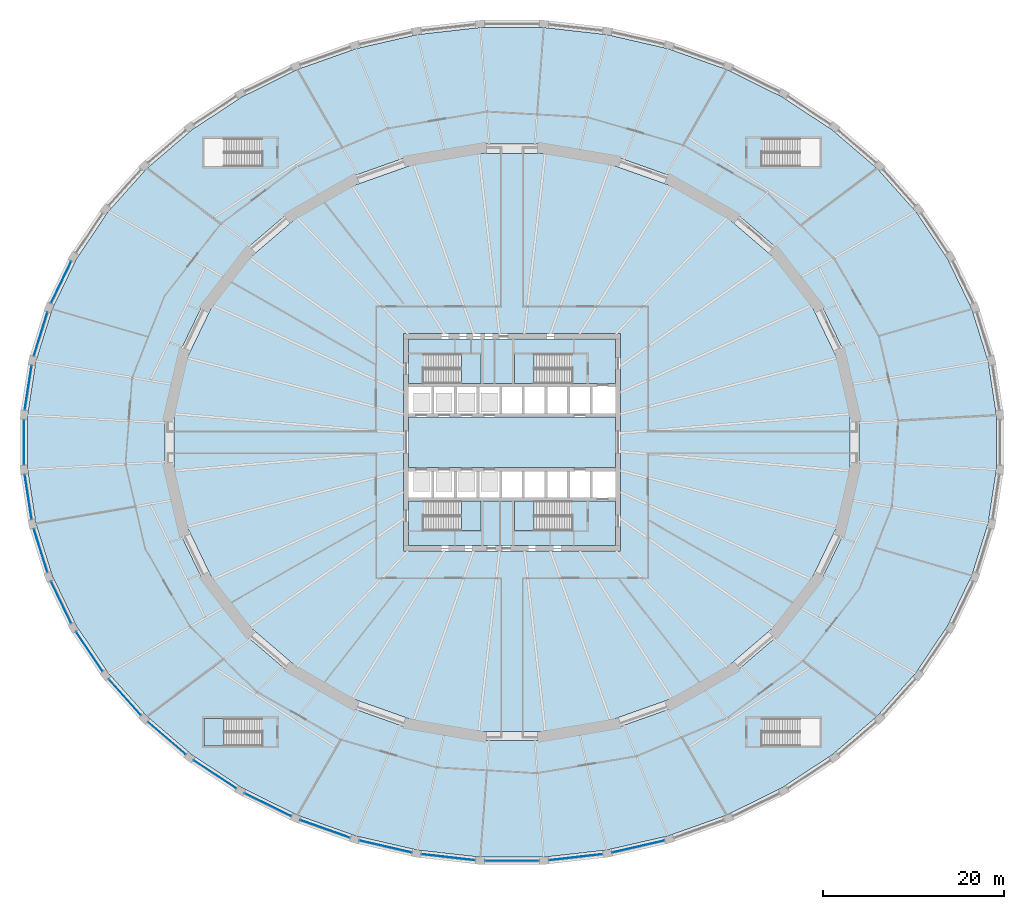
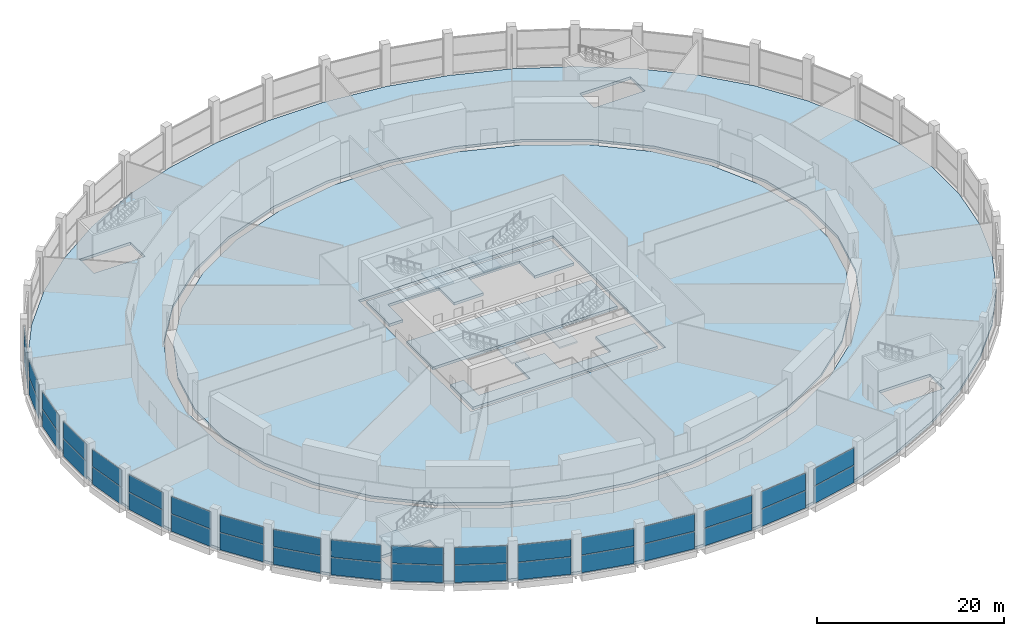
# One storey, part 18 of 29: 36 plates, 10 slabs, 23 elements without a shape of their own.
"""IFC4 building model written with IfcOpenShell, lengths in metres."""

from ifc_helpers import new_model, si_unit, direction, frame, origin, origin_2d, place, context, subcontext, project, spatial, polyline, rectangle, outline, extrude, material, layer, layer_set, type_object, element, aggregate, save


model = new_model("IFC4")

# Units and contexts
model_context = context("Model", 3, precision=1e-05, world=origin(), true_north=direction((0.0, 1.0)))
body_context = subcontext(model_context, "Body", "Model", "MODEL_VIEW")
ifc_project = project(units=[si_unit("LENGTHUNIT", "METRE"), si_unit("AREAUNIT", "SQUARE_METRE"), si_unit("VOLUMEUNIT", "CUBIC_METRE"), si_unit("PLANEANGLEUNIT", "RADIAN"), si_unit("MASSUNIT", "GRAM", prefix="KILO")], contexts=[model_context])

# Site, building, storey
site_placement = place(None, origin())
site = spatial("IfcSite", under=ifc_project, at=site_placement, CompositionType="ELEMENT")
building_placement = place(site_placement, origin())
building = spatial("IfcBuilding", under=site, at=building_placement, Name="Halqa Exchange Tower", CompositionType="ELEMENT")
storey_placement = place(building_placement, frame((0.0, 0.0, 7.0)))
storey = spatial("IfcBuildingStorey", under=building, at=storey_placement, Name="L01", CompositionType="ELEMENT", Elevation=7.0)

# Slabs
ifc_material_1 = material(Name="Concrete C60/75", Category="concrete")
ifc_layer_1 = layer(ifc_material_1, 0.35009765625)
ifc_layer_set_1 = layer_set([ifc_layer_1], Name="Concrete C60/75")
slab_type_1 = type_object("IfcSlabType", Name="Core floor slab 350", PredefinedType="FLOOR", material=ifc_layer_set_1)
slab_1_placement = place(storey_placement, frame((0.0, 0.0, -0.35009765625)))
element("IfcSlab", 1, at=slab_1_placement, inside=storey, type_object=slab_type_1, Name="Core floor slab", PredefinedType="FLOOR", context=body_context, shape_type="SweptSolid", body=[
    extrude(outline(polyline([(-11.39990234375, 2.800048828125), (11.39990234375, 2.800048828125), (11.39990234375, -2.800048828125), (-11.39990234375, -2.800048828125), (-11.39990234375, 2.800048828125)])), origin(), (0.0, 0.0, 1.0), 0.35009765625),
])
slab_2_placement = place(storey_placement, frame((0.0, 0.0, -0.35009765625)))
element("IfcSlab", 2, at=slab_2_placement, inside=storey, type_object=slab_type_1, Name="Core floor slab", PredefinedType="FLOOR", context=body_context, shape_type="SweptSolid", body=[
    extrude(outline(polyline([(-11.39990234375, 11.39990234375), (11.39990234375, 11.39990234375), (11.39990234375, 6.5), (6.550048828125, 6.5), (6.550048828125, 9.75), (0.25, 9.75), (0.25, 6.5), (-3.39990234375, 6.5), (-3.39990234375, 9.75), (-9.699951171875, 9.75), (-9.699951171875, 6.5), (-11.39990234375, 6.5), (-11.39990234375, 11.39990234375)])), origin(), (0.0, 0.0, 1.0), 0.35009765625),
])
slab_3_placement = place(storey_placement, frame((0.0, 0.0, -0.35009765625)))
element("IfcSlab", 3, at=slab_3_placement, inside=storey, type_object=slab_type_1, Name="Core floor slab", PredefinedType="FLOOR", context=body_context, shape_type="SweptSolid", body=[
    extrude(outline(polyline([(-9.699951171875, -9.75), (-3.39990234375, -9.75), (-3.39990234375, -6.5), (0.25, -6.5), (0.25, -9.75), (6.550048828125, -9.75), (6.550048828125, -6.5), (11.39990234375, -6.5), (11.39990234375, -11.39990234375), (-11.39990234375, -11.39990234375), (-11.39990234375, -6.5), (-9.699951171875, -6.5), (-9.699951171875, -9.75)])), origin(), (0.0, 0.0, 1.0), 0.35009765625),
])

# Curtain wall, plates
ifc_material_2 = material(Name="Anodised aluminium and clear glass", Category="aluminium")
curtain_wall_type = type_object("IfcCurtainWallType", Name="Exchange hall glazing", PredefinedType="NOTDEFINED", material=ifc_material_2)
curtain_wall_1_placement = place(storey_placement, origin())
curtain_wall_1 = element("IfcCurtainWall", 4, at=curtain_wall_1_placement, inside=storey, type_object=curtain_wall_type, Name="Exchange hall glazing run P21", PredefinedType="NOTDEFINED")
ifc_material_3 = material(Name="Clear glass", Category="glass")
ifc_layer_2 = layer(ifc_material_3, 0.035888671875)
ifc_layer_set_2 = layer_set([ifc_layer_2], Name="Clear glass")
plate_type = type_object("IfcPlateType", Name="Laminated clear glass panel 36", PredefinedType="CURTAIN_PANEL", material=ifc_layer_set_2)
plate_1_placement = place(storey_placement, frame((-49.78271484375, 17.680419921875, 0.06982421875), z_axis=(0.0, 0.0, 1.0), x_axis=(-0.434989864727, -0.90043534892, 0.0)))
plate_1 = element("IfcPlate", 5, at=plate_1_placement, type_object=plate_type, Name="P21 panel 1.1", PredefinedType="CURTAIN_PANEL", context=body_context, shape_type="SweptSolid", body=[
    extrude(rectangle(XDim=5.07421875, YDim=0.035888671875, at=origin_2d()), origin(), (0.0, 0.0, 1.0), 2.2451171875),
])
plate_2_placement = place(storey_placement, frame((-49.78271484375, 17.680419921875, 2.385009765625), z_axis=(0.0, 0.0, 1.0), x_axis=(-0.434989864727, -0.90043534892, 0.0)))
plate_2 = element("IfcPlate", 6, at=plate_2_placement, type_object=plate_type, Name="P21 panel 1.2", PredefinedType="CURTAIN_PANEL", context=body_context, shape_type="SweptSolid", body=[
    extrude(rectangle(XDim=5.07421875, YDim=0.035888671875, at=origin_2d()), origin(), (0.0, 0.0, 1.0), 2.2451171875),
])
aggregate(curtain_wall_1, [plate_1, plate_2])

curtain_wall_2_placement = place(storey_placement, origin())
curtain_wall_2 = element("IfcCurtainWall", 7, at=curtain_wall_2_placement, inside=storey, type_object=curtain_wall_type, Name="Exchange hall glazing run P22", PredefinedType="NOTDEFINED")
plate_3_placement = place(storey_placement, frame((-52.04833984375, 11.957763671875, 0.06982421875), z_axis=(0.0, 0.0, 1.0), x_axis=(-0.298302746613, -0.95447130463, 0.0)))
plate_3 = element("IfcPlate", 8, at=plate_3_placement, type_object=plate_type, Name="P22 panel 1.1", PredefinedType="CURTAIN_PANEL", context=body_context, shape_type="SweptSolid", body=[
    extrude(rectangle(XDim=4.989013671875, YDim=0.035888671875, at=origin_2d()), origin(), (0.0, 0.0, 1.0), 2.2451171875),
])
plate_4_placement = place(storey_placement, frame((-52.04833984375, 11.957763671875, 2.385009765625), z_axis=(0.0, 0.0, 1.0), x_axis=(-0.298302746613, -0.95447130463, 0.0)))
plate_4 = element("IfcPlate", 9, at=plate_4_placement, type_object=plate_type, Name="P22 panel 1.2", PredefinedType="CURTAIN_PANEL", context=body_context, shape_type="SweptSolid", body=[
    extrude(rectangle(XDim=4.989013671875, YDim=0.035888671875, at=origin_2d()), origin(), (0.0, 0.0, 1.0), 2.2451171875),
])
aggregate(curtain_wall_2, [plate_3, plate_4])

curtain_wall_3_placement = place(storey_placement, origin())
curtain_wall_3 = element("IfcCurtainWall", 10, at=curtain_wall_3_placement, inside=storey, type_object=curtain_wall_type, Name="Exchange hall glazing run P23", PredefinedType="NOTDEFINED")
plate_5_placement = place(storey_placement, frame((-53.42333984375, 6.030517578125, 0.06982421875), z_axis=(0.0, 0.0, 1.0), x_axis=(-0.151766957898, -0.988416304241, 0.0)))
plate_5 = element("IfcPlate", 11, at=plate_5_placement, type_object=plate_type, Name="P23 panel 1.1", PredefinedType="CURTAIN_PANEL", context=body_context, shape_type="SweptSolid", body=[
    extrude(rectangle(XDim=4.934814453125, YDim=0.035888671875, at=origin_2d()), origin(), (0.0, 0.0, 1.0), 2.2451171875),
])
plate_6_placement = place(storey_placement, frame((-53.42333984375, 6.030517578125, 2.385009765625), z_axis=(0.0, 0.0, 1.0), x_axis=(-0.151766957898, -0.988416304241, 0.0)))
plate_6 = element("IfcPlate", 12, at=plate_6_placement, type_object=plate_type, Name="P23 panel 1.2", PredefinedType="CURTAIN_PANEL", context=body_context, shape_type="SweptSolid", body=[
    extrude(rectangle(XDim=4.934814453125, YDim=0.035888671875, at=origin_2d()), origin(), (0.0, 0.0, 1.0), 2.2451171875),
])
aggregate(curtain_wall_3, [plate_5, plate_6])

curtain_wall_4_placement = place(storey_placement, origin())
curtain_wall_4 = element("IfcCurtainWall", 13, at=curtain_wall_4_placement, inside=storey, type_object=curtain_wall_type, Name="Exchange hall glazing run P24", PredefinedType="NOTDEFINED")
plate_7_placement = place(storey_placement, frame((-53.884521484375, 0.0, 0.06982421875), z_axis=(0.0, 0.0, 1.0), x_axis=(0.0, -1.0, 0.0)))
plate_7 = element("IfcPlate", 14, at=plate_7_placement, type_object=plate_type, Name="P24 panel 1.1", PredefinedType="CURTAIN_PANEL", context=body_context, shape_type="SweptSolid", body=[
    extrude(rectangle(XDim=4.91650390625, YDim=0.035888671875, at=origin_2d()), origin(), (0.0, 0.0, 1.0), 2.2451171875),
])
plate_8_placement = place(storey_placement, frame((-53.884521484375, 0.0, 2.385009765625), z_axis=(0.0, 0.0, 1.0), x_axis=(0.0, -1.0, 0.0)))
plate_8 = element("IfcPlate", 15, at=plate_8_placement, type_object=plate_type, Name="P24 panel 1.2", PredefinedType="CURTAIN_PANEL", context=body_context, shape_type="SweptSolid", body=[
    extrude(rectangle(XDim=4.91650390625, YDim=0.035888671875, at=origin_2d()), origin(), (0.0, 0.0, 1.0), 2.2451171875),
])
aggregate(curtain_wall_4, [plate_7, plate_8])

curtain_wall_5_placement = place(storey_placement, origin())
curtain_wall_5 = element("IfcCurtainWall", 16, at=curtain_wall_5_placement, inside=storey, type_object=curtain_wall_type, Name="Exchange hall glazing run P25", PredefinedType="NOTDEFINED")
plate_9_placement = place(storey_placement, frame((-53.42333984375, -6.030517578125, 0.06982421875), z_axis=(0.0, 0.0, 1.0), x_axis=(0.151766957898, -0.988416304241, 0.0)))
plate_9 = element("IfcPlate", 17, at=plate_9_placement, type_object=plate_type, Name="P25 panel 1.1", PredefinedType="CURTAIN_PANEL", context=body_context, shape_type="SweptSolid", body=[
    extrude(rectangle(XDim=4.934814453125, YDim=0.035888671875, at=origin_2d()), origin(), (0.0, 0.0, 1.0), 2.2451171875),
])
plate_10_placement = place(storey_placement, frame((-53.42333984375, -6.030517578125, 2.385009765625), z_axis=(0.0, 0.0, 1.0), x_axis=(0.151766957898, -0.988416304241, 0.0)))
plate_10 = element("IfcPlate", 18, at=plate_10_placement, type_object=plate_type, Name="P25 panel 1.2", PredefinedType="CURTAIN_PANEL", context=body_context, shape_type="SweptSolid", body=[
    extrude(rectangle(XDim=4.934814453125, YDim=0.035888671875, at=origin_2d()), origin(), (0.0, 0.0, 1.0), 2.2451171875),
])
aggregate(curtain_wall_5, [plate_9, plate_10])

curtain_wall_6_placement = place(storey_placement, origin())
curtain_wall_6 = element("IfcCurtainWall", 19, at=curtain_wall_6_placement, inside=storey, type_object=curtain_wall_type, Name="Exchange hall glazing run P26", PredefinedType="NOTDEFINED")
plate_11_placement = place(storey_placement, frame((-52.04833984375, -11.957763671875, 0.06982421875), z_axis=(0.0, 0.0, 1.0), x_axis=(0.298302746613, -0.95447130463, 0.0)))
plate_11 = element("IfcPlate", 20, at=plate_11_placement, type_object=plate_type, Name="P26 panel 1.1", PredefinedType="CURTAIN_PANEL", context=body_context, shape_type="SweptSolid", body=[
    extrude(rectangle(XDim=4.989013671875, YDim=0.035888671875, at=origin_2d()), origin(), (0.0, 0.0, 1.0), 2.2451171875),
])
plate_12_placement = place(storey_placement, frame((-52.04833984375, -11.957763671875, 2.385009765625), z_axis=(0.0, 0.0, 1.0), x_axis=(0.298302746613, -0.95447130463, 0.0)))
plate_12 = element("IfcPlate", 21, at=plate_12_placement, type_object=plate_type, Name="P26 panel 1.2", PredefinedType="CURTAIN_PANEL", context=body_context, shape_type="SweptSolid", body=[
    extrude(rectangle(XDim=4.989013671875, YDim=0.035888671875, at=origin_2d()), origin(), (0.0, 0.0, 1.0), 2.2451171875),
])
aggregate(curtain_wall_6, [plate_11, plate_12])

curtain_wall_7_placement = place(storey_placement, origin())
curtain_wall_7 = element("IfcCurtainWall", 22, at=curtain_wall_7_placement, inside=storey, type_object=curtain_wall_type, Name="Exchange hall glazing run P27", PredefinedType="NOTDEFINED")
plate_13_placement = place(storey_placement, frame((-49.78271484375, -17.680419921875, 0.06982421875), z_axis=(0.0, 0.0, 1.0), x_axis=(0.434989864727, -0.90043534892, 0.0)))
plate_13 = element("IfcPlate", 23, at=plate_13_placement, type_object=plate_type, Name="P27 panel 1.1", PredefinedType="CURTAIN_PANEL", context=body_context, shape_type="SweptSolid", body=[
    extrude(rectangle(XDim=5.07421875, YDim=0.035888671875, at=origin_2d()), origin(), (0.0, 0.0, 1.0), 2.2451171875),
])
plate_14_placement = place(storey_placement, frame((-49.78271484375, -17.680419921875, 2.385009765625), z_axis=(0.0, 0.0, 1.0), x_axis=(0.434989864727, -0.90043534892, 0.0)))
plate_14 = element("IfcPlate", 24, at=plate_14_placement, type_object=plate_type, Name="P27 panel 1.2", PredefinedType="CURTAIN_PANEL", context=body_context, shape_type="SweptSolid", body=[
    extrude(rectangle(XDim=5.07421875, YDim=0.035888671875, at=origin_2d()), origin(), (0.0, 0.0, 1.0), 2.2451171875),
])
aggregate(curtain_wall_7, [plate_13, plate_14])

curtain_wall_8_placement = place(storey_placement, origin())
curtain_wall_8 = element("IfcCurtainWall", 25, at=curtain_wall_8_placement, inside=storey, type_object=curtain_wall_type, Name="Exchange hall glazing run P28", PredefinedType="NOTDEFINED")
plate_15_placement = place(storey_placement, frame((-46.665283203125, -23.100341796875, 0.06982421875), z_axis=(0.0, 0.0, 1.0), x_axis=(0.55852230535, -0.8294895023, 0.0)))
plate_15 = element("IfcPlate", 26, at=plate_15_placement, type_object=plate_type, Name="P28 panel 1.1", PredefinedType="CURTAIN_PANEL", context=body_context, shape_type="SweptSolid", body=[
    extrude(rectangle(XDim=5.18310546875, YDim=0.035888671875, at=origin_2d()), origin(), (0.0, 0.0, 1.0), 2.2451171875),
])
plate_16_placement = place(storey_placement, frame((-46.665283203125, -23.100341796875, 2.385009765625), z_axis=(0.0, 0.0, 1.0), x_axis=(0.55852230535, -0.8294895023, 0.0)))
plate_16 = element("IfcPlate", 27, at=plate_16_placement, type_object=plate_type, Name="P28 panel 1.2", PredefinedType="CURTAIN_PANEL", context=body_context, shape_type="SweptSolid", body=[
    extrude(rectangle(XDim=5.18310546875, YDim=0.035888671875, at=origin_2d()), origin(), (0.0, 0.0, 1.0), 2.2451171875),
])
aggregate(curtain_wall_8, [plate_15, plate_16])

curtain_wall_9_placement = place(storey_placement, origin())
curtain_wall_9 = element("IfcCurtainWall", 28, at=curtain_wall_9_placement, inside=storey, type_object=curtain_wall_type, Name="Exchange hall glazing run P29", PredefinedType="NOTDEFINED")
plate_17_placement = place(storey_placement, frame((-42.749267578125, -28.125244140625, 0.06982421875), z_axis=(0.0, 0.0, 1.0), x_axis=(0.666899477539, -0.74514769466, 0.0)))
plate_17 = element("IfcPlate", 29, at=plate_17_placement, type_object=plate_type, Name="P29 panel 1.1", PredefinedType="CURTAIN_PANEL", context=body_context, shape_type="SweptSolid", body=[
    extrude(rectangle(XDim=5.30810546875, YDim=0.035888671875, at=origin_2d()), origin(), (0.0, 0.0, 1.0), 2.2451171875),
])
plate_18_placement = place(storey_placement, frame((-42.749267578125, -28.125244140625, 2.385009765625), z_axis=(0.0, 0.0, 1.0), x_axis=(0.666899477539, -0.74514769466, 0.0)))
plate_18 = element("IfcPlate", 30, at=plate_18_placement, type_object=plate_type, Name="P29 panel 1.2", PredefinedType="CURTAIN_PANEL", context=body_context, shape_type="SweptSolid", body=[
    extrude(rectangle(XDim=5.30810546875, YDim=0.035888671875, at=origin_2d()), origin(), (0.0, 0.0, 1.0), 2.2451171875),
])
aggregate(curtain_wall_9, [plate_17, plate_18])

curtain_wall_10_placement = place(storey_placement, origin())
curtain_wall_10 = element("IfcCurtainWall", 31, at=curtain_wall_10_placement, inside=storey, type_object=curtain_wall_type, Name="Exchange hall glazing run P30", PredefinedType="NOTDEFINED")
plate_19_placement = place(storey_placement, frame((-38.10205078125, -32.6689453125, 0.06982421875), z_axis=(0.0, 0.0, 1.0), x_axis=(0.759154109704, -0.650910929175, 0.0)))
plate_19 = element("IfcPlate", 32, at=plate_19_placement, type_object=plate_type, Name="P30 panel 1.1", PredefinedType="CURTAIN_PANEL", context=body_context, shape_type="SweptSolid", body=[
    extrude(rectangle(XDim=5.439208984375, YDim=0.035888671875, at=origin_2d()), origin(), (0.0, 0.0, 1.0), 2.2451171875),
])
plate_20_placement = place(storey_placement, frame((-38.10205078125, -32.6689453125, 2.385009765625), z_axis=(0.0, 0.0, 1.0), x_axis=(0.759154109704, -0.650910929175, 0.0)))
plate_20 = element("IfcPlate", 33, at=plate_20_placement, type_object=plate_type, Name="P30 panel 1.2", PredefinedType="CURTAIN_PANEL", context=body_context, shape_type="SweptSolid", body=[
    extrude(rectangle(XDim=5.439208984375, YDim=0.035888671875, at=origin_2d()), origin(), (0.0, 0.0, 1.0), 2.2451171875),
])
aggregate(curtain_wall_10, [plate_19, plate_20])

curtain_wall_11_placement = place(storey_placement, origin())
curtain_wall_11 = element("IfcCurtainWall", 34, at=curtain_wall_11_placement, inside=storey, type_object=curtain_wall_type, Name="Exchange hall glazing run P31", PredefinedType="NOTDEFINED")
plate_21_placement = place(storey_placement, frame((-32.802734375, -36.653564453125, 0.06982421875), z_axis=(0.0, 0.0, 1.0), x_axis=(0.835414753652, -0.549620040919, 0.0)))
plate_21 = element("IfcPlate", 35, at=plate_21_placement, type_object=plate_type, Name="P31 panel 1.1", PredefinedType="CURTAIN_PANEL", context=body_context, shape_type="SweptSolid", body=[
    extrude(rectangle(XDim=5.56787109375, YDim=0.035888671875, at=origin_2d()), origin(), (0.0, 0.0, 1.0), 2.2451171875),
])
plate_22_placement = place(storey_placement, frame((-32.802734375, -36.653564453125, 2.385009765625), z_axis=(0.0, 0.0, 1.0), x_axis=(0.835414753652, -0.549620040919, 0.0)))
plate_22 = element("IfcPlate", 36, at=plate_22_placement, type_object=plate_type, Name="P31 panel 1.2", PredefinedType="CURTAIN_PANEL", context=body_context, shape_type="SweptSolid", body=[
    extrude(rectangle(XDim=5.56787109375, YDim=0.035888671875, at=origin_2d()), origin(), (0.0, 0.0, 1.0), 2.2451171875),
])
aggregate(curtain_wall_11, [plate_21, plate_22])

curtain_wall_12_placement = place(storey_placement, origin())
curtain_wall_12 = element("IfcCurtainWall", 37, at=curtain_wall_12_placement, inside=storey, type_object=curtain_wall_type, Name="Exchange hall glazing run P32", PredefinedType="NOTDEFINED")
plate_23_placement = place(storey_placement, frame((-26.942138671875, -40.010986328125, 0.06982421875), z_axis=(0.0, 0.0, 1.0), x_axis=(0.896198440934, -0.443653417058, 0.0)))
plate_23 = element("IfcPlate", 38, at=plate_23_placement, type_object=plate_type, Name="P32 panel 1.1", PredefinedType="CURTAIN_PANEL", context=body_context, shape_type="SweptSolid", body=[
    extrude(rectangle(XDim=5.685791015625, YDim=0.035888671875, at=origin_2d()), origin(), (0.0, 0.0, 1.0), 2.2451171875),
])
plate_24_placement = place(storey_placement, frame((-26.942138671875, -40.010986328125, 2.385009765625), z_axis=(0.0, 0.0, 1.0), x_axis=(0.896198440934, -0.443653417058, 0.0)))
plate_24 = element("IfcPlate", 39, at=plate_24_placement, type_object=plate_type, Name="P32 panel 1.2", PredefinedType="CURTAIN_PANEL", context=body_context, shape_type="SweptSolid", body=[
    extrude(rectangle(XDim=5.685791015625, YDim=0.035888671875, at=origin_2d()), origin(), (0.0, 0.0, 1.0), 2.2451171875),
])
aggregate(curtain_wall_12, [plate_23, plate_24])

curtain_wall_13_placement = place(storey_placement, origin())
curtain_wall_13 = element("IfcCurtainWall", 40, at=curtain_wall_13_placement, inside=storey, type_object=curtain_wall_type, Name="Exchange hall glazing run P33", PredefinedType="NOTDEFINED")
plate_25_placement = place(storey_placement, frame((-20.62060546875, -42.68408203125, 0.06982421875), z_axis=(0.0, 0.0, 1.0), x_axis=(0.942328875444, -0.334688348326, 0.0)))
plate_25 = element("IfcPlate", 41, at=plate_25_placement, type_object=plate_type, Name="P33 panel 1.1", PredefinedType="CURTAIN_PANEL", context=body_context, shape_type="SweptSolid", body=[
    extrude(rectangle(XDim=5.78515625, YDim=0.035888671875, at=origin_2d()), origin(), (0.0, 0.0, 1.0), 2.2451171875),
])
plate_26_placement = place(storey_placement, frame((-20.62060546875, -42.68408203125, 2.385009765625), z_axis=(0.0, 0.0, 1.0), x_axis=(0.942328875444, -0.334688348326, 0.0)))
plate_26 = element("IfcPlate", 42, at=plate_26_placement, type_object=plate_type, Name="P33 panel 1.2", PredefinedType="CURTAIN_PANEL", context=body_context, shape_type="SweptSolid", body=[
    extrude(rectangle(XDim=5.78515625, YDim=0.035888671875, at=origin_2d()), origin(), (0.0, 0.0, 1.0), 2.2451171875),
])
aggregate(curtain_wall_13, [plate_25, plate_26])

curtain_wall_14_placement = place(storey_placement, origin())
curtain_wall_14 = element("IfcCurtainWall", 43, at=curtain_wall_14_placement, inside=storey, type_object=curtain_wall_type, Name="Exchange hall glazing run P34", PredefinedType="NOTDEFINED")
plate_27_placement = place(storey_placement, frame((-13.9462890625, -44.626708984375, 0.06982421875), z_axis=(0.0, 0.0, 1.0), x_axis=(0.974612891234, -0.223896655269, 0.0)))
plate_27 = element("IfcPlate", 44, at=plate_27_placement, type_object=plate_type, Name="P34 panel 1.1", PredefinedType="CURTAIN_PANEL", context=body_context, shape_type="SweptSolid", body=[
    extrude(rectangle(XDim=5.860595703125, YDim=0.035888671875, at=origin_2d()), origin(), (0.0, 0.0, 1.0), 2.2451171875),
])
plate_28_placement = place(storey_placement, frame((-13.9462890625, -44.626708984375, 2.385009765625), z_axis=(0.0, 0.0, 1.0), x_axis=(0.974612891234, -0.223896655269, 0.0)))
plate_28 = element("IfcPlate", 45, at=plate_28_placement, type_object=plate_type, Name="P34 panel 1.2", PredefinedType="CURTAIN_PANEL", context=body_context, shape_type="SweptSolid", body=[
    extrude(rectangle(XDim=5.860595703125, YDim=0.035888671875, at=origin_2d()), origin(), (0.0, 0.0, 1.0), 2.2451171875),
])
aggregate(curtain_wall_14, [plate_27, plate_28])

curtain_wall_15_placement = place(storey_placement, origin())
curtain_wall_15 = element("IfcCurtainWall", 46, at=curtain_wall_15_placement, inside=storey, type_object=curtain_wall_type, Name="Exchange hall glazing run P35", PredefinedType="NOTDEFINED")
plate_29_placement = place(storey_placement, frame((-7.033447265625, -45.8056640625, 0.06982421875), z_axis=(0.0, 0.0, 1.0), x_axis=(0.993690261872, -0.112159098874, 0.0)))
plate_29 = element("IfcPlate", 47, at=plate_29_placement, type_object=plate_type, Name="P35 panel 1.1", PredefinedType="CURTAIN_PANEL", context=body_context, shape_type="SweptSolid", body=[
    extrude(rectangle(XDim=5.90771484375, YDim=0.035888671875, at=origin_2d()), origin(), (0.0, 0.0, 1.0), 2.2451171875),
])
plate_30_placement = place(storey_placement, frame((-7.033447265625, -45.8056640625, 2.385009765625), z_axis=(0.0, 0.0, 1.0), x_axis=(0.993690261872, -0.112159098874, 0.0)))
plate_30 = element("IfcPlate", 48, at=plate_30_placement, type_object=plate_type, Name="P35 panel 1.2", PredefinedType="CURTAIN_PANEL", context=body_context, shape_type="SweptSolid", body=[
    extrude(rectangle(XDim=5.90771484375, YDim=0.035888671875, at=origin_2d()), origin(), (0.0, 0.0, 1.0), 2.2451171875),
])
aggregate(curtain_wall_15, [plate_29, plate_30])

curtain_wall_16_placement = place(storey_placement, origin())
curtain_wall_16 = element("IfcCurtainWall", 49, at=curtain_wall_16_placement, inside=storey, type_object=curtain_wall_type, Name="Exchange hall glazing run P36", PredefinedType="NOTDEFINED")
plate_31_placement = place(storey_placement, frame((0.0, -46.200927734375, 0.06982421875), z_axis=(0.0, 0.0, 1.0), x_axis=(1.0, 0.0, 0.0)))
plate_31 = element("IfcPlate", 50, at=plate_31_placement, type_object=plate_type, Name="P36 panel 1.1", PredefinedType="CURTAIN_PANEL", context=body_context, shape_type="SweptSolid", body=[
    extrude(rectangle(XDim=5.923583984375, YDim=0.035888671875, at=origin_2d()), origin(), (0.0, 0.0, 1.0), 2.2451171875),
])
plate_32_placement = place(storey_placement, frame((0.0, -46.200927734375, 2.385009765625), z_axis=(0.0, 0.0, 1.0), x_axis=(1.0, 0.0, 0.0)))
plate_32 = element("IfcPlate", 51, at=plate_32_placement, type_object=plate_type, Name="P36 panel 1.2", PredefinedType="CURTAIN_PANEL", context=body_context, shape_type="SweptSolid", body=[
    extrude(rectangle(XDim=5.923583984375, YDim=0.035888671875, at=origin_2d()), origin(), (0.0, 0.0, 1.0), 2.2451171875),
])
aggregate(curtain_wall_16, [plate_31, plate_32])

curtain_wall_17_placement = place(storey_placement, origin())
curtain_wall_17 = element("IfcCurtainWall", 52, at=curtain_wall_17_placement, inside=storey, type_object=curtain_wall_type, Name="Exchange hall glazing run P37", PredefinedType="NOTDEFINED")
plate_33_placement = place(storey_placement, frame((7.033447265625, -45.8056640625, 0.06982421875), z_axis=(0.0, 0.0, 1.0), x_axis=(0.993690261872, 0.112159098874, 0.0)))
plate_33 = element("IfcPlate", 53, at=plate_33_placement, type_object=plate_type, Name="P37 panel 1.1", PredefinedType="CURTAIN_PANEL", context=body_context, shape_type="SweptSolid", body=[
    extrude(rectangle(XDim=5.90771484375, YDim=0.035888671875, at=origin_2d()), origin(), (0.0, 0.0, 1.0), 2.2451171875),
])
plate_34_placement = place(storey_placement, frame((7.033447265625, -45.8056640625, 2.385009765625), z_axis=(0.0, 0.0, 1.0), x_axis=(0.993690261872, 0.112159098874, 0.0)))
plate_34 = element("IfcPlate", 54, at=plate_34_placement, type_object=plate_type, Name="P37 panel 1.2", PredefinedType="CURTAIN_PANEL", context=body_context, shape_type="SweptSolid", body=[
    extrude(rectangle(XDim=5.90771484375, YDim=0.035888671875, at=origin_2d()), origin(), (0.0, 0.0, 1.0), 2.2451171875),
])
aggregate(curtain_wall_17, [plate_33, plate_34])

curtain_wall_18_placement = place(storey_placement, origin())
curtain_wall_18 = element("IfcCurtainWall", 55, at=curtain_wall_18_placement, inside=storey, type_object=curtain_wall_type, Name="Exchange hall glazing run P38", PredefinedType="NOTDEFINED")
plate_35_placement = place(storey_placement, frame((13.9462890625, -44.626708984375, 0.06982421875), z_axis=(0.0, 0.0, 1.0), x_axis=(0.974612891234, 0.223896655269, 0.0)))
plate_35 = element("IfcPlate", 56, at=plate_35_placement, type_object=plate_type, Name="P38 panel 1.1", PredefinedType="CURTAIN_PANEL", context=body_context, shape_type="SweptSolid", body=[
    extrude(rectangle(XDim=5.860595703125, YDim=0.035888671875, at=origin_2d()), origin(), (0.0, 0.0, 1.0), 2.2451171875),
])
plate_36_placement = place(storey_placement, frame((13.9462890625, -44.626708984375, 2.385009765625), z_axis=(0.0, 0.0, 1.0), x_axis=(0.974612891234, 0.223896655269, 0.0)))
plate_36 = element("IfcPlate", 57, at=plate_36_placement, type_object=plate_type, Name="P38 panel 1.2", PredefinedType="CURTAIN_PANEL", context=body_context, shape_type="SweptSolid", body=[
    extrude(rectangle(XDim=5.860595703125, YDim=0.035888671875, at=origin_2d()), origin(), (0.0, 0.0, 1.0), 2.2451171875),
])
aggregate(curtain_wall_18, [plate_35, plate_36])

# Slabs
ifc_material_4 = material(Name="Concrete C40/50", Category="concrete")
ifc_layer_3 = layer(ifc_material_4, 0.35009765625)
ifc_layer_set_3 = layer_set([ifc_layer_3], Name="Concrete C40/50")
slab_type_2 = type_object("IfcSlabType", Name="RC floor slab 350", PredefinedType="FLOOR", material=ifc_layer_set_3)
slab_4_placement = place(storey_placement, frame((0.0, 0.0, -0.35009765625)))
element("IfcSlab", 58, at=slab_4_placement, inside=storey, type_object=slab_type_2, Name="Floor slab", PredefinedType="FLOOR", context=body_context, shape_type="SweptSolid", body=[
    extrude(outline(polyline([(37.31689453125, 3.13525390625), (37.31689453125, -3.13525390625), (35.88916015625, -9.28759765625), (33.0859375, -15.088623046875), (29.010986328125, -20.316162109375), (23.8173828125, -24.767578125), (17.70361328125, -28.269287109375), (10.904296875, -30.683349609375), (3.682373046875, -31.91455078125), (-3.682373046875, -31.91455078125), (-10.904296875, -30.683349609375), (-17.70361328125, -28.269287109375), (-23.8173828125, -24.767578125), (-29.010986328125, -20.316162109375), (-33.0859375, -15.088623046875), (-35.88916015625, -9.28759765625), (-37.31689453125, -3.13525390625), (-37.31689453125, 3.13525390625), (-35.88916015625, 9.28759765625), (-33.0859375, 15.088623046875), (-29.010986328125, 20.316162109375), (-23.8173828125, 24.767578125), (-17.70361328125, 28.269287109375), (-10.904296875, 30.683349609375), (-3.682373046875, 31.91455078125), (3.682373046875, 31.91455078125), (10.904296875, 30.683349609375), (17.70361328125, 28.269287109375), (23.8173828125, 24.767578125), (29.010986328125, 20.316162109375), (33.0859375, 15.088623046875), (35.88916015625, 9.28759765625), (37.31689453125, 3.13525390625)]), holes=[polyline([(-12.0, -12.0), (12.0, -12.0), (12.0, 12.0), (-12.0, 12.0), (-12.0, -12.0)])]), origin(), (0.0, 0.0, 1.0), 0.35009765625),
])
slab_5_placement = place(storey_placement, frame((0.0, 0.0, -0.35009765625)))
element("IfcSlab", 59, at=slab_5_placement, inside=storey, type_object=slab_type_2, Name="Podium floor slab", PredefinedType="FLOOR", context=body_context, shape_type="SweptSolid", body=[
    extrude(outline(polyline([(53.484375, 2.997802734375), (53.484375, -2.997802734375), (52.571533203125, -8.942138671875), (50.76123046875, -14.735107421875), (48.08349609375, -20.2783203125), (44.5830078125, -25.476806640625), (40.31884765625, -30.2412109375), (35.363525390625, -34.489990234375), (29.801513671875, -38.1494140625), (23.727294921875, -41.15625), (17.24560546875, -43.458251953125), (10.467529296875, -45.015380859375), (3.50927734375, -45.80078125), (-3.50927734375, -45.80078125), (-10.467529296875, -45.015380859375), (-17.24560546875, -43.458251953125), (-23.727294921875, -41.15625), (-29.801513671875, -38.1494140625), (-35.363525390625, -34.489990234375), (-40.31884765625, -30.2412109375), (-44.5830078125, -25.476806640625), (-48.08349609375, -20.2783203125), (-50.76123046875, -14.735107421875), (-52.571533203125, -8.942138671875), (-53.484375, -2.997802734375), (-53.484375, 2.997802734375), (-52.571533203125, 8.942138671875), (-50.76123046875, 14.735107421875), (-48.08349609375, 20.2783203125), (-44.5830078125, 25.476806640625), (-40.31884765625, 30.2412109375), (-35.363525390625, 34.489990234375), (-29.801513671875, 38.1494140625), (-23.727294921875, 41.15625), (-17.24560546875, 43.458251953125), (-10.467529296875, 45.015380859375), (-3.50927734375, 45.80078125), (3.50927734375, 45.80078125), (10.467529296875, 45.015380859375), (17.24560546875, 43.458251953125), (23.727294921875, 41.15625), (29.801513671875, 38.1494140625), (35.363525390625, 34.489990234375), (40.31884765625, 30.2412109375), (44.5830078125, 25.476806640625), (48.08349609375, 20.2783203125), (50.76123046875, 14.735107421875), (52.571533203125, 8.942138671875), (53.484375, 2.997802734375)]), holes=[polyline([(38.31689453125, 3.25), (38.31689453125, -3.25), (36.838134765625, -9.622314453125), (33.93994140625, -15.619384765625), (29.73779296875, -21.010009765625), (24.396484375, -25.58837890625), (18.122802734375, -29.181640625), (11.157470703125, -31.654541015625), (3.76708984375, -32.91455078125), (-3.76708984375, -32.91455078125), (-11.157470703125, -31.654541015625), (-18.122802734375, -29.181640625), (-24.396484375, -25.58837890625), (-29.73779296875, -21.010009765625), (-33.93994140625, -15.619384765625), (-36.838134765625, -9.622314453125), (-38.31689453125, -3.25), (-38.31689453125, 3.25), (-36.838134765625, 9.622314453125), (-33.93994140625, 15.619384765625), (-29.73779296875, 21.010009765625), (-24.396484375, 25.58837890625), (-18.122802734375, 29.181640625), (-11.157470703125, 31.654541015625), (-3.76708984375, 32.91455078125), (3.76708984375, 32.91455078125), (11.157470703125, 31.654541015625), (18.122802734375, 29.181640625), (24.396484375, 25.58837890625), (29.73779296875, 21.010009765625), (33.93994140625, 15.619384765625), (36.838134765625, 9.622314453125), (38.31689453125, 3.25)]), polyline([(27.699951171875, 30.47509765625), (34.0, 30.47509765625), (34.0, 33.52490234375), (27.699951171875, 33.52490234375), (27.699951171875, 30.47509765625)]), polyline([(27.699951171875, -33.52490234375), (34.0, -33.52490234375), (34.0, -30.47509765625), (27.699951171875, -30.47509765625), (27.699951171875, -33.52490234375)]), polyline([(-34.0, 30.47509765625), (-27.699951171875, 30.47509765625), (-27.699951171875, 33.52490234375), (-34.0, 33.52490234375), (-34.0, 30.47509765625)]), polyline([(-34.0, -33.52490234375), (-27.699951171875, -33.52490234375), (-27.699951171875, -30.47509765625), (-34.0, -30.47509765625), (-34.0, -33.52490234375)])]), origin(), (0.0, 0.0, 1.0), 0.35009765625),
])

# Stair, slab
ifc_material_5 = material(Name="Concrete C30/37", Category="concrete")
stair_type_1 = type_object("IfcStairType", Name="Exit stair 1500 wide", PredefinedType="HALF_TURN_STAIR", material=ifc_material_5)
stair_1_placement = place(storey_placement, origin())
stair_1 = element("IfcStair", 60, at=stair_1_placement, inside=storey, type_object=stair_type_1, Name="Exit stair ST1", PredefinedType="HALF_TURN_STAIR")
ifc_layer_4 = layer(ifc_material_5, 0.199951171875)
ifc_layer_set_4 = layer_set([ifc_layer_4], Name="Concrete C30/37")
slab_type_3 = type_object("IfcSlabType", Name="Stair landing 200 slab", PredefinedType="LANDING", material=ifc_layer_set_4)
slab_6_placement = place(storey_placement, frame((0.0, 0.0, 2.550048828125)))
slab_6 = element("IfcSlab", 61, at=slab_6_placement, type_object=slab_type_3, Name="ST1 landing 1", PredefinedType="LANDING", context=body_context, shape_type="SweptSolid", body=[
    extrude(outline(polyline([(-5.60009765625, 6.5), (-3.39990234375, 6.5), (-3.39990234375, 9.75), (-5.60009765625, 9.75), (-5.60009765625, 6.5)])), origin(), (0.0, 0.0, 1.0), 0.199951171875),
])
aggregate(stair_1, [slab_6])

stair_2_placement = place(storey_placement, origin())
stair_2 = element("IfcStair", 62, at=stair_2_placement, inside=storey, type_object=stair_type_1, Name="Exit stair ST2", PredefinedType="HALF_TURN_STAIR")
slab_7_placement = place(storey_placement, frame((0.0, 0.0, 2.550048828125)))
slab_7 = element("IfcSlab", 63, at=slab_7_placement, type_object=slab_type_3, Name="ST2 landing 1", PredefinedType="LANDING", context=body_context, shape_type="SweptSolid", body=[
    extrude(outline(polyline([(0.25, 6.5), (2.449951171875, 6.5), (2.449951171875, 9.75), (0.25, 9.75), (0.25, 6.5)])), origin(), (0.0, 0.0, 1.0), 0.199951171875),
])
aggregate(stair_2, [slab_7])

stair_3_placement = place(storey_placement, origin())
stair_3 = element("IfcStair", 64, at=stair_3_placement, inside=storey, type_object=stair_type_1, Name="Exit stair ST3", PredefinedType="HALF_TURN_STAIR")
slab_8_placement = place(storey_placement, frame((0.0, 0.0, 2.550048828125)))
slab_8 = element("IfcSlab", 65, at=slab_8_placement, type_object=slab_type_3, Name="ST3 landing 1", PredefinedType="LANDING", context=body_context, shape_type="SweptSolid", body=[
    extrude(outline(polyline([(-5.60009765625, -9.75), (-3.39990234375, -9.75), (-3.39990234375, -6.5), (-5.60009765625, -6.5), (-5.60009765625, -9.75)])), origin(), (0.0, 0.0, 1.0), 0.199951171875),
])
aggregate(stair_3, [slab_8])

stair_4_placement = place(storey_placement, origin())
stair_4 = element("IfcStair", 66, at=stair_4_placement, inside=storey, type_object=stair_type_1, Name="Exit stair ST4", PredefinedType="HALF_TURN_STAIR")
slab_9_placement = place(storey_placement, frame((0.0, 0.0, 2.550048828125)))
slab_9 = element("IfcSlab", 67, at=slab_9_placement, type_object=slab_type_3, Name="ST4 landing 1", PredefinedType="LANDING", context=body_context, shape_type="SweptSolid", body=[
    extrude(outline(polyline([(0.25, -9.75), (2.449951171875, -9.75), (2.449951171875, -6.5), (0.25, -6.5), (0.25, -9.75)])), origin(), (0.0, 0.0, 1.0), 0.199951171875),
])
aggregate(stair_4, [slab_9])

stair_type_2 = type_object("IfcStairType", Name="Exit stair 1400 wide", PredefinedType="HALF_TURN_STAIR", material=ifc_material_5)
stair_5_placement = place(storey_placement, origin())
stair_5 = element("IfcStair", 68, at=stair_5_placement, inside=storey, type_object=stair_type_2, Name="Exit stair PS4", PredefinedType="HALF_TURN_STAIR")
slab_10_placement = place(storey_placement, frame((0.0, 0.0, 2.550048828125)))
slab_10 = element("IfcSlab", 69, at=slab_10_placement, type_object=slab_type_3, Name="PS4 landing 1", PredefinedType="LANDING", context=body_context, shape_type="SweptSolid", body=[
    extrude(outline(polyline([(-34.0, -33.52490234375), (-31.800048828125, -33.52490234375), (-31.800048828125, -30.47509765625), (-34.0, -30.47509765625), (-34.0, -33.52490234375)])), origin(), (0.0, 0.0, 1.0), 0.199951171875),
])
aggregate(stair_5, [slab_10])

save(model, "model.ifc")
